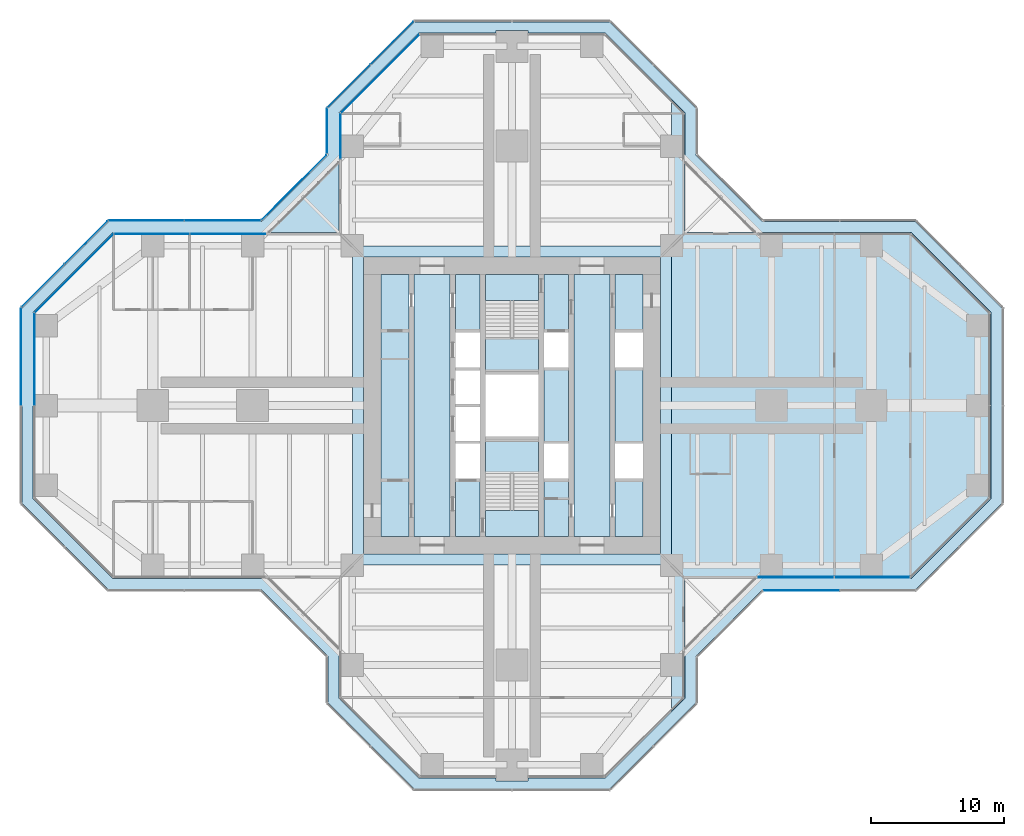
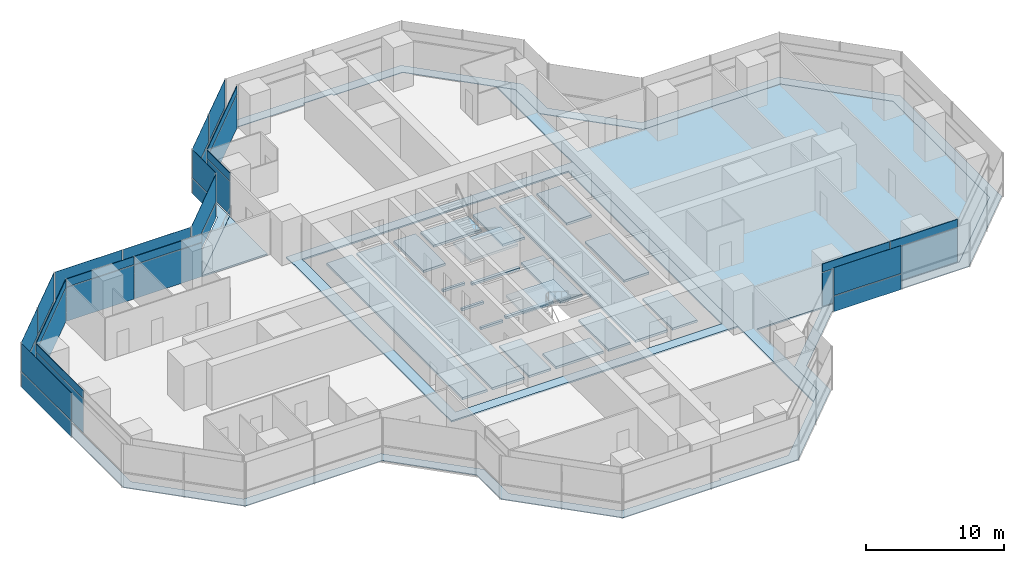
# One storey, part 13 of 20: 37 plates, 8 slabs, 15 elements without a shape of their own.
"""IFC4 building model written with IfcOpenShell, lengths in metres."""

import ifcopenshell
import ifcopenshell.guid

model = None  # the IFC model being written
_history = None  # IfcOwnerHistory: only IFC2X3 demands one
_inside = {}  # id of a spatial element -> (the spatial element, [elements in it])
_under = {}  # id of a project, library or spatial element -> (it, [spatial elements below it])
_declared = {}  # id of a project -> (the project, [libraries it declares])
_typed = {}  # id of a type object -> (the type object, [elements of that type])
_made_of = {}  # id of a material, layer set ... -> (it, [elements and type objects made of it])


def new_model(schema):
    """Start an empty IFC model of exactly this schema.

    Asked for "IFC4X3", IfcOpenShell would pick the latest addendum, in which some entities
    have other attributes; the version numbers below select the first issue.
    IFC2X3 requires an IfcOwnerHistory on every rooted entity: one is made here for all.
    """
    global model, _history
    if schema == "IFC4X3":
        model = ifcopenshell.file(schema_version=(4, 3, 0, 0))
    else:
        model = ifcopenshell.file(schema=schema)
    _inside.clear()
    _under.clear()
    _declared.clear()
    _typed.clear()
    _made_of.clear()
    _history = None
    if model.schema == "IFC2X3":
        org = make("IfcOrganization", Name="unknown")
        user = make(
            "IfcPersonAndOrganization",
            ThePerson=make("IfcPerson", FamilyName="unknown"),
            TheOrganization=org,
        )
        app = make(
            "IfcApplication",
            ApplicationDeveloper=org,
            Version="unknown",
            ApplicationFullName="unknown",
            ApplicationIdentifier="unknown",
        )
        _history = make(
            "IfcOwnerHistory",
            OwningUser=user,
            OwningApplication=app,
            ChangeAction="ADDED",
            CreationDate=0,
        )
    return model


def make(cls, **values):
    """One entity of the class cls with the attributes given. An attribute that is None is left unset."""
    return model.create_entity(
        cls, **{name: value for name, value in values.items() if value is not None}
    )


def rooted(cls, **values):
    """An entity with a GlobalId (a new one), such as an element, a storey or a relation."""
    return make(cls, GlobalId=ifcopenshell.guid.new(), OwnerHistory=_history, **values)


def si_unit(unit_type, name, prefix=None):
    """IfcSIUnit, for example si_unit("LENGTHUNIT", "METRE", prefix="MILLI")."""
    return make("IfcSIUnit", UnitType=unit_type, Prefix=prefix, Name=name)


def assignment(units):
    """IfcUnitAssignment: the units of a project."""
    return None if units is None else make("IfcUnitAssignment", Units=units)


def point(xyz):
    """IfcCartesianPoint."""
    return None if xyz is None else make("IfcCartesianPoint", Coordinates=xyz)


def direction(xyz):
    """IfcDirection."""
    return None if xyz is None else make("IfcDirection", DirectionRatios=xyz)


def frame(location, z_axis=None, x_axis=None):
    """IfcAxis2Placement3D, a coordinate frame: its origin and axes. An axis left out is left unset."""
    return make(
        "IfcAxis2Placement3D",
        Location=point(location),
        Axis=direction(z_axis),
        RefDirection=direction(x_axis),
    )


def frame_2d(location, x_axis=None):
    """IfcAxis2Placement2D, a coordinate frame in the plane: its origin and x axis."""
    return make(
        "IfcAxis2Placement2D", Location=point(location), RefDirection=direction(x_axis)
    )


def origin():
    """The frame at (0, 0, 0) with its axes left unset."""
    return frame((0.0, 0.0, 0.0))


def origin_2d():
    """The frame at (0, 0) in the plane with its x axis left unset."""
    return frame_2d((0.0, 0.0))


def place(relative_to, where):
    """IfcLocalPlacement: puts the frame where relative to a parent placement (None: the world)."""
    return make(
        "IfcLocalPlacement", PlacementRelTo=relative_to, RelativePlacement=where
    )


def context(
    kind, dimensions, precision=None, world=None, true_north=None, identifier=None
):
    """IfcGeometricRepresentationContext, for example the 3D "Model" context."""
    return make(
        "IfcGeometricRepresentationContext",
        ContextIdentifier=identifier,
        ContextType=kind,
        CoordinateSpaceDimension=dimensions,
        Precision=precision,
        WorldCoordinateSystem=world,
        TrueNorth=true_north,
    )


def subcontext(parent, identifier, kind, view, scale=None):
    """IfcGeometricRepresentationSubContext, for example "Body" below "Model"."""
    return make(
        "IfcGeometricRepresentationSubContext",
        ContextIdentifier=identifier,
        ContextType=kind,
        ParentContext=parent,
        TargetScale=scale,
        TargetView=view,
    )


def project(units=None, contexts=None):
    """IfcProject with its units and contexts."""
    return rooted(
        "IfcProject",
        Name="project",
        RepresentationContexts=contexts,
        UnitsInContext=assignment(units),
    )


def spatial(cls, under=None, at=None, **own):
    """A site, building, storey or space (cls), placed at a placement, below another one or the project."""
    s = rooted(cls, ObjectPlacement=at, **own)
    if under is not None:
        _under.setdefault(under.id(), (under, []))[1].append(s)
    return s


def polyline(points):
    """IfcPolyline through the points."""
    return make("IfcPolyline", Points=[point(p) for p in points])


def profile(cls, at=None, kind="AREA", **sizes):
    """A parametric profile (cls). Its sizes go by their IFC names, for example OverallWidth=200.0."""
    return make(cls, ProfileType=kind, Position=at, **sizes)


def rectangle(**sizes):
    """IfcRectangleProfileDef."""
    return profile("IfcRectangleProfileDef", **sizes)


def outline(outer, holes=None, kind="AREA"):
    """IfcArbitraryClosedProfileDef: a profile drawn as a closed curve; with holes, ...WithVoids."""
    if holes is None:
        return make("IfcArbitraryClosedProfileDef", ProfileType=kind, OuterCurve=outer)
    return make(
        "IfcArbitraryProfileDefWithVoids",
        ProfileType=kind,
        OuterCurve=outer,
        InnerCurves=holes,
    )


def extrude(swept, where, along, depth):
    """IfcExtrudedAreaSolid: the profile swept, set in the frame where, extruded along a direction by depth."""
    return make(
        "IfcExtrudedAreaSolid",
        SweptArea=swept,
        Position=where,
        ExtrudedDirection=direction(along),
        Depth=depth,
    )


def shape(context_of_items, identifier, shape_type, items):
    """IfcShapeRepresentation: the items that make up one representation, for example the "Body"."""
    return make(
        "IfcShapeRepresentation",
        ContextOfItems=context_of_items,
        RepresentationIdentifier=identifier,
        RepresentationType=shape_type,
        Items=items,
    )


def material(Name=None, Category=None):
    """IfcMaterial."""
    return make("IfcMaterial", Name=Name, Category=Category)


def layer(
    of_material, thickness, ventilated=None, Name=None, Category=None, Priority=None
):
    """IfcMaterialLayer: one layer of a wall or slab, of a material (None: an air gap)."""
    return make(
        "IfcMaterialLayer",
        Material=of_material,
        LayerThickness=thickness,
        IsVentilated=ventilated,
        Name=Name,
        Category=Category,
        Priority=Priority,
    )


def layer_set(layers, Name=None):
    """IfcMaterialLayerSet."""
    return make("IfcMaterialLayerSet", MaterialLayers=layers, LayerSetName=Name)


def made_of(thing, what):
    """Note that an element or type object is made of a material, layer set ...; save() writes the relation."""
    if what is not None:
        _made_of.setdefault(what.id(), (what, []))[1].append(thing)
    return thing


def type_object(cls, material=None, **own):
    """A type object (cls), such as IfcWallType, which elements share."""
    return made_of(rooted(cls, **own), material)


def element(
    cls,
    number,
    at=None,
    inside=None,
    cuts=None,
    type_object=None,
    material=None,
    context=None,
    identifier="Body",
    shape_type=None,
    held_by="IfcProductDefinitionShape",
    body=None,
    shapes=None,
    **own,
):
    """One element of the class cls, such as IfcWall. Its Tag is "e" and its number.

    at: its placement. inside: the storey or other place that contains it. cuts: it is an
    opening in that element (IfcRelVoidsElement). A single representation is given by context,
    identifier, shape_type and body (its items); several are given by shapes. held_by: the class
    of the entity that holds the representations. save() writes the other relations.
    """
    e = rooted(cls, Tag="e%d" % number, ObjectPlacement=at, **own)
    if body is not None:
        shapes = [shape(context, identifier, shape_type, body)]
    if shapes is not None:
        e.Representation = make(held_by, Representations=shapes)
    if inside is not None:
        _inside.setdefault(inside.id(), (inside, []))[1].append(e)
    if cuts is not None:
        rooted(
            "IfcRelVoidsElement", RelatingBuildingElement=cuts, RelatedOpeningElement=e
        )
    if type_object is not None:
        _typed.setdefault(type_object.id(), (type_object, []))[1].append(e)
    return made_of(e, material)


def aggregate(whole, parts):
    """IfcRelAggregates: a whole, such as a stair, and the parts it consists of."""
    return rooted("IfcRelAggregates", RelatingObject=whole, RelatedObjects=parts)


def save(model, path):
    """Write the relations noted so far, then the file.

    IfcRelAggregates (storeys below a building ...), IfcRelContainedInSpatialStructure (elements
    in a storey), IfcRelDefinesByType, IfcRelAssociatesMaterial and IfcRelDeclares: one each for
    every whole, place, type object, material and project.
    """
    for whole, parts in _under.values():
        aggregate(whole, parts)
    for where, things in _inside.values():
        rooted(
            "IfcRelContainedInSpatialStructure",
            RelatedElements=things,
            RelatingStructure=where,
        )
    for kind, things in _typed.values():
        rooted("IfcRelDefinesByType", RelatedObjects=things, RelatingType=kind)
    for what, things in _made_of.values():
        rooted("IfcRelAssociatesMaterial", RelatedObjects=things, RelatingMaterial=what)
    for by, libraries in _declared.values():
        rooted("IfcRelDeclares", RelatingContext=by, RelatedDefinitions=libraries)
    model.write(path)


model = new_model("IFC4")

# Units and contexts
model_context = context("Model", 3, precision=1e-05, world=origin(), true_north=direction((0.0, 1.0)))
body_context = subcontext(model_context, "Body", "Model", "MODEL_VIEW")
ifc_project = project(units=[si_unit("LENGTHUNIT", "METRE"), si_unit("AREAUNIT", "SQUARE_METRE"), si_unit("VOLUMEUNIT", "CUBIC_METRE"), si_unit("PLANEANGLEUNIT", "RADIAN"), si_unit("MASSUNIT", "GRAM", prefix="KILO")], contexts=[model_context])

# Site, building, storey
site_placement = place(None, origin())
site = spatial("IfcSite", under=ifc_project, at=site_placement, CompositionType="ELEMENT")
building_placement = place(site_placement, origin())
building = spatial("IfcBuilding", under=site, at=building_placement, Name="Mizan Broadcast Tower", CompositionType="ELEMENT")
storey_placement = place(building_placement, frame((0.0, 0.0, 178.800048828125)))
storey = spatial("IfcBuildingStorey", under=building, at=storey_placement, Name="L41", CompositionType="ELEMENT", Elevation=178.800048828125)

# Plate
ifc_material_1 = material(Name="Aluminium grating", Category="aluminium")
ifc_layer_1 = layer(ifc_material_1, 0.050048828125)
ifc_layer_set_1 = layer_set([ifc_layer_1], Name="Aluminium grating")
plate_type_1 = type_object("IfcPlateType", Name="CAVITY GRATING", PredefinedType="USERDEFINED", material=ifc_layer_set_1)
plate_1_placement = place(storey_placement, frame((0.0, 0.0, -0.050048828125)))
element("IfcPlate", 1, at=plate_1_placement, inside=storey, type_object=plate_type_1, Name="Cavity grating L41", ObjectType="GRATING", PredefinedType="USERDEFINED", context=body_context, shape_type="SweptSolid", body=[
    extrude(outline(polyline([(13.820068359375, -18.839599609375), (18.839599609375, -13.820068359375), (30.339599609375, -13.820068359375), (36.820068359375, -7.339599609375), (36.820068359375, 7.339599609375), (30.339599609375, 13.820068359375), (18.839599609375, 13.820068359375), (13.820068359375, 18.839599609375), (13.820068359375, 22.339599609375), (7.339599609375, 28.820068359375), (-7.339599609375, 28.820068359375), (-13.820068359375, 22.339599609375), (-13.820068359375, 18.839599609375), (-18.839599609375, 13.820068359375), (-30.339599609375, 13.820068359375), (-36.820068359375, 7.339599609375), (-36.820068359375, -7.339599609375), (-30.339599609375, -13.820068359375), (-18.839599609375, -13.820068359375), (-13.820068359375, -18.839599609375), (-13.820068359375, -22.339599609375), (-7.339599609375, -28.820068359375), (7.339599609375, -28.820068359375), (13.820068359375, -22.339599609375), (13.820068359375, -18.839599609375)]), holes=[polyline([(36.0, 7.0), (36.0, -7.0), (30.0, -13.0), (18.5, -13.0), (13.0, -18.5), (13.0, -22.0), (7.0, -28.0), (1.199951171875, -28.0), (1.199951171875, -28.199951171875), (-1.199951171875, -28.199951171875), (-1.199951171875, -28.0), (-7.0, -28.0), (-13.0, -22.0), (-13.0, -18.5), (-18.5, -13.0), (-30.0, -13.0), (-36.0, -7.0), (-36.0, 7.0), (-30.0, 13.0), (-18.5, 13.0), (-13.0, 18.5), (-13.0, 22.0), (-7.0, 28.0), (-1.199951171875, 28.0), (-1.199951171875, 28.199951171875), (1.199951171875, 28.199951171875), (1.199951171875, 28.0), (7.0, 28.0), (13.0, 22.0), (13.0, 18.5), (18.5, 13.0), (30.0, 13.0), (36.0, 7.0)])]), origin(), (0.0, 0.0, 1.0), 0.050048828125),
])

# Slabs
ifc_material_2 = material(Name="Concrete C32/40", Category="concrete")
ifc_layer_2 = layer(ifc_material_2, 0.1298828125)
ifc_layer_set_2 = layer_set([ifc_layer_2], Name="Concrete C32/40")
slab_type_1 = type_object("IfcSlabType", Name="COMPOSITE DECK SLAB 130", PredefinedType="FLOOR", material=ifc_layer_set_2)
slab_1_placement = place(storey_placement, frame((0.0, 0.0, -0.130126953125)))
element("IfcSlab", 2, at=slab_1_placement, inside=storey, type_object=slab_type_1, Name="Floor slab L41 centre", PredefinedType="FLOOR", context=body_context, shape_type="SweptSolid", body=[
    extrude(outline(polyline([(-12.0, -12.0), (12.0, -12.0), (12.0, 12.0), (-12.0, 12.0), (-12.0, -12.0)]), holes=[polyline([(-11.14990234375, 11.14990234375), (11.14990234375, 11.14990234375), (11.14990234375, -11.14990234375), (-11.14990234375, -11.14990234375), (-11.14990234375, 11.14990234375)])]), origin(), (0.0, 0.0, 1.0), 0.130126953125),
])
slab_2_placement = place(storey_placement, frame((0.0, 0.0, -0.130126953125)))
element("IfcSlab", 3, at=slab_2_placement, inside=storey, type_object=slab_type_1, Name="Floor slab L41 east arm", PredefinedType="FLOOR", context=body_context, shape_type="SweptSolid", body=[
    extrude(outline(polyline([(12.0, -23.0), (13.0, -22.0), (13.0, -13.0), (30.0, -13.0), (36.0, -7.0), (36.0, 7.0), (30.0, 13.0), (13.0, 13.0), (13.0, 22.0), (12.0, 23.0), (12.0, -23.0)])), origin(), (0.0, 0.0, 1.0), 0.130126953125),
])
ifc_material_3 = material(Name="Concrete C40/50", Category="concrete")
ifc_layer_3 = layer(ifc_material_3, 0.199951171875)
ifc_layer_set_3 = layer_set([ifc_layer_3], Name="Concrete C40/50")
slab_type_2 = type_object("IfcSlabType", Name="CORE FLOOR 200", PredefinedType="FLOOR", material=ifc_layer_set_3)
slab_3_placement = place(storey_placement, frame((0.0, 0.0, -0.199951171875)))
element("IfcSlab", 4, at=slab_3_placement, inside=storey, type_object=slab_type_2, Name="Core floor L41", PredefinedType="FLOOR", context=body_context, shape_type="SweptSolid", body=[
    extrude(outline(polyline([(-9.85009765625, -9.85009765625), (-7.75, -9.85009765625), (-7.75, 9.85009765625), (-9.85009765625, 9.85009765625), (-9.85009765625, -9.85009765625)])), origin(), (0.0, 0.0, 1.0), 0.199951171875),
    extrude(outline(polyline([(-4.64990234375, 9.85009765625), (-7.35009765625, 9.85009765625), (-7.35009765625, -9.85009765625), (-4.64990234375, -9.85009765625), (-4.64990234375, 9.85009765625)])), origin(), (0.0, 0.0, 1.0), 0.199951171875),
    extrude(outline(polyline([(-4.25, -5.5), (-4.25, -9.85009765625), (-2.39990234375, -9.85009765625), (-2.39990234375, -5.5), (-4.25, -5.5)])), origin(), (0.0, 0.0, 1.0), 0.199951171875),
    extrude(outline(polyline([(-4.25, -2.85009765625), (-2.39990234375, -2.85009765625), (-2.39990234375, -2.64990234375), (-4.25, -2.64990234375), (-4.25, -2.85009765625)])), origin(), (0.0, 0.0, 1.0), 0.199951171875),
    extrude(outline(polyline([(-4.25, -0.10009765625), (-2.39990234375, -0.10009765625), (-2.39990234375, 0.10009765625), (-4.25, 0.10009765625), (-4.25, -0.10009765625)])), origin(), (0.0, 0.0, 1.0), 0.199951171875),
    extrude(outline(polyline([(-4.25, 2.64990234375), (-2.39990234375, 2.64990234375), (-2.39990234375, 2.85009765625), (-4.25, 2.85009765625), (-4.25, 2.64990234375)])), origin(), (0.0, 0.0, 1.0), 0.199951171875),
    extrude(outline(polyline([(-4.25, 5.5), (-2.39990234375, 5.5), (-2.39990234375, 9.85009765625), (-4.25, 9.85009765625), (-4.25, 5.5)])), origin(), (0.0, 0.0, 1.0), 0.199951171875),
    extrude(outline(polyline([(2.0, -2.324951171875), (-2.0, -2.324951171875), (-2.0, -2.574951171875), (2.0, -2.574951171875), (2.0, -2.324951171875)])), origin(), (0.0, 0.0, 1.0), 0.199951171875),
    extrude(outline(polyline([(2.0, 2.574951171875), (-2.0, 2.574951171875), (-2.0, 2.324951171875), (2.0, 2.324951171875), (2.0, 2.574951171875)])), origin(), (0.0, 0.0, 1.0), 0.199951171875),
    extrude(outline(polyline([(4.25, -9.85009765625), (4.25, -5.5), (2.39990234375, -5.5), (2.39990234375, -9.85009765625), (4.25, -9.85009765625)])), origin(), (0.0, 0.0, 1.0), 0.199951171875),
    extrude(outline(polyline([(4.25, -2.85009765625), (4.25, 2.85009765625), (2.39990234375, 2.85009765625), (2.39990234375, -2.85009765625), (4.25, -2.85009765625)])), origin(), (0.0, 0.0, 1.0), 0.199951171875),
    extrude(outline(polyline([(4.25, 5.5), (4.25, 9.85009765625), (2.39990234375, 9.85009765625), (2.39990234375, 5.5), (4.25, 5.5)])), origin(), (0.0, 0.0, 1.0), 0.199951171875),
    extrude(outline(polyline([(4.64990234375, 9.85009765625), (4.64990234375, -9.85009765625), (7.35009765625, -9.85009765625), (7.35009765625, 9.85009765625), (4.64990234375, 9.85009765625)])), origin(), (0.0, 0.0, 1.0), 0.199951171875),
    extrude(outline(polyline([(9.85009765625, -9.85009765625), (9.85009765625, -5.5), (7.75, -5.5), (7.75, -9.85009765625), (9.85009765625, -9.85009765625)])), origin(), (0.0, 0.0, 1.0), 0.199951171875),
    extrude(outline(polyline([(7.75, -2.85009765625), (9.85009765625, -2.85009765625), (9.85009765625, 2.85009765625), (7.75, 2.85009765625), (7.75, -2.85009765625)])), origin(), (0.0, 0.0, 1.0), 0.199951171875),
    extrude(outline(polyline([(9.85009765625, 5.5), (9.85009765625, 9.85009765625), (7.75, 9.85009765625), (7.75, 5.5), (9.85009765625, 5.5)])), origin(), (0.0, 0.0, 1.0), 0.199951171875),
])

# Curtain wall, plates
ifc_material_4 = material(Name="Aluminium framed glazing", Category="aluminium")
curtain_wall_type_1 = type_object("IfcCurtainWallType", Name="INNER SKIN MID ZONE", PredefinedType="USERDEFINED", material=ifc_material_4)
curtain_wall_1_placement = place(storey_placement, origin())
curtain_wall_1 = element("IfcCurtainWall", 5, at=curtain_wall_1_placement, inside=storey, type_object=curtain_wall_type_1, Name="Inner skin mid zone L41 E side", ObjectType="INNER SKIN MID ZONE", PredefinedType="USERDEFINED")
ifc_material_5 = material(Name="Double glazing, clear low-e", Category="glass")
ifc_layer_4 = layer(ifc_material_5, 0.028076171875)
ifc_layer_set_4 = layer_set([ifc_layer_4], Name="Double glazing, clear low-e")
plate_type_2 = type_object("IfcPlateType", Name="INNER SKIN GLAZING UNIT", PredefinedType="CURTAIN_PANEL", material=ifc_layer_set_4)
plate_2_placement = place(storey_placement, frame((21.379638671875, -12.89990234375, 0.0), z_axis=(0.0, 0.0, 1.0), x_axis=(1.0, 0.0, 0.0)))
plate_2 = element("IfcPlate", 6, at=plate_2_placement, type_object=plate_type_2, Name="Inner skin mid zone L41 E side panel 1.1", PredefinedType="CURTAIN_PANEL", context=body_context, shape_type="SweptSolid", body=[
    extrude(rectangle(XDim=5.639404296875, YDim=0.028076171875, at=origin_2d()), origin(), (0.0, 0.0, 1.0), 3.0),
])
plate_3_placement = place(storey_placement, frame((27.078857421875, -12.89990234375, 0.0), z_axis=(0.0, 0.0, 1.0), x_axis=(1.0, 0.0, 0.0)))
plate_3 = element("IfcPlate", 7, at=plate_3_placement, type_object=plate_type_2, Name="Inner skin mid zone L41 E side panel 2.1", PredefinedType="CURTAIN_PANEL", context=body_context, shape_type="SweptSolid", body=[
    extrude(rectangle(XDim=5.639404296875, YDim=0.028076171875, at=origin_2d()), origin(), (0.0, 0.0, 1.0), 3.0),
])

# Curtain wall, plate
curtain_wall_2_placement = place(storey_placement, origin())
curtain_wall_2 = element("IfcCurtainWall", 8, at=curtain_wall_2_placement, inside=storey, type_object=curtain_wall_type_1, Name="Inner skin mid zone L41 N chamfer", ObjectType="INNER SKIN MID ZONE", PredefinedType="USERDEFINED")
plate_4_placement = place(storey_placement, frame((-9.92919921875, 24.92919921875, 0.0), z_axis=(0.0, 0.0, 1.0), x_axis=(-0.707106781187, -0.707106781187, 0.0)))
plate_4 = element("IfcPlate", 9, at=plate_4_placement, type_object=plate_type_2, Name="Inner skin mid zone L41 N chamfer panel 1.1", PredefinedType="CURTAIN_PANEL", context=body_context, shape_type="SweptSolid", body=[
    extrude(rectangle(XDim=8.282470703125, YDim=0.028076171875, at=origin_2d()), origin(), (0.0, 0.0, 1.0), 3.0),
])

curtain_wall_3_placement = place(storey_placement, origin())
curtain_wall_3 = element("IfcCurtainWall", 10, at=curtain_wall_3_placement, inside=storey, type_object=curtain_wall_type_1, Name="Inner skin mid zone L41 N side", ObjectType="INNER SKIN MID ZONE", PredefinedType="USERDEFINED")
plate_5_placement = place(storey_placement, frame((-12.89990234375, 20.229248046875, 0.0), z_axis=(0.0, 0.0, 1.0), x_axis=(0.0, -1.0, 0.0)))
plate_5 = element("IfcPlate", 11, at=plate_5_placement, type_object=plate_type_2, Name="Inner skin mid zone L41 N side panel 1.1", PredefinedType="CURTAIN_PANEL", context=body_context, shape_type="SweptSolid", body=[
    extrude(rectangle(XDim=3.338623046875, YDim=0.028076171875, at=origin_2d()), origin(), (0.0, 0.0, 1.0), 3.0),
])

# Curtain wall, plates
curtain_wall_4_placement = place(storey_placement, origin())
curtain_wall_4 = element("IfcCurtainWall", 12, at=curtain_wall_4_placement, inside=storey, type_object=curtain_wall_type_1, Name="Inner skin mid zone L41 W side", ObjectType="INNER SKIN MID ZONE", PredefinedType="USERDEFINED")
plate_6_placement = place(storey_placement, frame((-21.379638671875, 12.89990234375, 0.0), z_axis=(0.0, 0.0, 1.0), x_axis=(-1.0, 0.0, 0.0)))
plate_6 = element("IfcPlate", 13, at=plate_6_placement, type_object=plate_type_2, Name="Inner skin mid zone L41 W side panel 1.1", PredefinedType="CURTAIN_PANEL", context=body_context, shape_type="SweptSolid", body=[
    extrude(rectangle(XDim=5.639404296875, YDim=0.028076171875, at=origin_2d()), origin(), (0.0, 0.0, 1.0), 3.0),
])
plate_7_placement = place(storey_placement, frame((-27.078857421875, 12.89990234375, 0.0), z_axis=(0.0, 0.0, 1.0), x_axis=(-1.0, 0.0, 0.0)))
plate_7 = element("IfcPlate", 14, at=plate_7_placement, type_object=plate_type_2, Name="Inner skin mid zone L41 W side panel 2.1", PredefinedType="CURTAIN_PANEL", context=body_context, shape_type="SweptSolid", body=[
    extrude(rectangle(XDim=5.639404296875, YDim=0.028076171875, at=origin_2d()), origin(), (0.0, 0.0, 1.0), 3.0),
])

# Curtain wall, plate
curtain_wall_5_placement = place(storey_placement, origin())
curtain_wall_5 = element("IfcCurtainWall", 15, at=curtain_wall_5_placement, inside=storey, type_object=curtain_wall_type_1, Name="Inner skin mid zone L41 W chamfer", ObjectType="INNER SKIN MID ZONE", PredefinedType="USERDEFINED")
plate_8_placement = place(storey_placement, frame((-32.92919921875, 9.92919921875, 0.0), z_axis=(0.0, 0.0, 1.0), x_axis=(-0.707106781187, -0.707106781187, 0.0)))
plate_8 = element("IfcPlate", 16, at=plate_8_placement, type_object=plate_type_2, Name="Inner skin mid zone L41 W chamfer panel 1.1", PredefinedType="CURTAIN_PANEL", context=body_context, shape_type="SweptSolid", body=[
    extrude(rectangle(XDim=8.282470703125, YDim=0.028076171875, at=origin_2d()), origin(), (0.0, 0.0, 1.0), 3.0),
])

curtain_wall_6_placement = place(storey_placement, origin())
curtain_wall_6 = element("IfcCurtainWall", 17, at=curtain_wall_6_placement, inside=storey, type_object=curtain_wall_type_1, Name="Inner skin mid zone L41 W end", ObjectType="INNER SKIN MID ZONE", PredefinedType="USERDEFINED")
plate_9_placement = place(storey_placement, frame((-35.89990234375, 3.46435546875, 0.0), z_axis=(0.0, 0.0, 1.0), x_axis=(0.0, -1.0, 0.0)))
plate_9 = element("IfcPlate", 18, at=plate_9_placement, type_object=plate_type_2, Name="Inner skin mid zone L41 W end panel 1.1", PredefinedType="CURTAIN_PANEL", context=body_context, shape_type="SweptSolid", body=[
    extrude(rectangle(XDim=6.86865234375, YDim=0.028076171875, at=origin_2d()), origin(), (0.0, 0.0, 1.0), 3.0),
])

# Plate
ifc_material_6 = material(Name="Insulated aluminium spandrel panel, pale anodised", Category="aluminium")
ifc_layer_5 = layer(ifc_material_6, 0.050048828125)
ifc_layer_set_5 = layer_set([ifc_layer_5], Name="Insulated aluminium spandrel panel, pale anodised")
plate_type_3 = type_object("IfcPlateType", Name="INNER SKIN SPANDREL PANEL", PredefinedType="CURTAIN_PANEL", material=ifc_layer_set_5)
plate_10_placement = place(storey_placement, frame((21.379638671875, -12.89990234375, 3.06005859375), z_axis=(0.0, 0.0, 1.0), x_axis=(1.0, 0.0, 0.0)))
plate_10 = element("IfcPlate", 19, at=plate_10_placement, type_object=plate_type_3, Name="Inner skin mid zone L41 E side panel 1.2", PredefinedType="CURTAIN_PANEL", context=body_context, shape_type="SweptSolid", body=[
    extrude(rectangle(XDim=5.639404296875, YDim=0.050048828125, at=origin_2d()), origin(), (0.0, 0.0, 1.0), 0.7099609375),
])

plate_11_placement = place(storey_placement, frame((27.078857421875, -12.89990234375, 3.06005859375), z_axis=(0.0, 0.0, 1.0), x_axis=(1.0, 0.0, 0.0)))
plate_11 = element("IfcPlate", 20, at=plate_11_placement, type_object=plate_type_3, Name="Inner skin mid zone L41 E side panel 2.2", PredefinedType="CURTAIN_PANEL", context=body_context, shape_type="SweptSolid", body=[
    extrude(rectangle(XDim=5.639404296875, YDim=0.050048828125, at=origin_2d()), origin(), (0.0, 0.0, 1.0), 0.7099609375),
])

aggregate(curtain_wall_1, [plate_2, plate_10, plate_3, plate_11])

plate_12_placement = place(storey_placement, frame((-9.92919921875, 24.92919921875, 3.06005859375), z_axis=(0.0, 0.0, 1.0), x_axis=(-0.707106781187, -0.707106781187, 0.0)))
plate_12 = element("IfcPlate", 21, at=plate_12_placement, type_object=plate_type_3, Name="Inner skin mid zone L41 N chamfer panel 1.2", PredefinedType="CURTAIN_PANEL", context=body_context, shape_type="SweptSolid", body=[
    extrude(rectangle(XDim=8.282470703125, YDim=0.050048828125, at=origin_2d()), origin(), (0.0, 0.0, 1.0), 0.7099609375),
])

aggregate(curtain_wall_2, [plate_4, plate_12])

plate_13_placement = place(storey_placement, frame((-12.89990234375, 20.229248046875, 3.06005859375), z_axis=(0.0, 0.0, 1.0), x_axis=(0.0, -1.0, 0.0)))
plate_13 = element("IfcPlate", 22, at=plate_13_placement, type_object=plate_type_3, Name="Inner skin mid zone L41 N side panel 1.2", PredefinedType="CURTAIN_PANEL", context=body_context, shape_type="SweptSolid", body=[
    extrude(rectangle(XDim=3.338623046875, YDim=0.050048828125, at=origin_2d()), origin(), (0.0, 0.0, 1.0), 0.7099609375),
])

aggregate(curtain_wall_3, [plate_5, plate_13])

plate_14_placement = place(storey_placement, frame((-21.379638671875, 12.89990234375, 3.06005859375), z_axis=(0.0, 0.0, 1.0), x_axis=(-1.0, 0.0, 0.0)))
plate_14 = element("IfcPlate", 23, at=plate_14_placement, type_object=plate_type_3, Name="Inner skin mid zone L41 W side panel 1.2", PredefinedType="CURTAIN_PANEL", context=body_context, shape_type="SweptSolid", body=[
    extrude(rectangle(XDim=5.639404296875, YDim=0.050048828125, at=origin_2d()), origin(), (0.0, 0.0, 1.0), 0.7099609375),
])

plate_15_placement = place(storey_placement, frame((-27.078857421875, 12.89990234375, 3.06005859375), z_axis=(0.0, 0.0, 1.0), x_axis=(-1.0, 0.0, 0.0)))
plate_15 = element("IfcPlate", 24, at=plate_15_placement, type_object=plate_type_3, Name="Inner skin mid zone L41 W side panel 2.2", PredefinedType="CURTAIN_PANEL", context=body_context, shape_type="SweptSolid", body=[
    extrude(rectangle(XDim=5.639404296875, YDim=0.050048828125, at=origin_2d()), origin(), (0.0, 0.0, 1.0), 0.7099609375),
])

aggregate(curtain_wall_4, [plate_6, plate_14, plate_7, plate_15])

plate_16_placement = place(storey_placement, frame((-32.92919921875, 9.92919921875, 3.06005859375), z_axis=(0.0, 0.0, 1.0), x_axis=(-0.707106781187, -0.707106781187, 0.0)))
plate_16 = element("IfcPlate", 25, at=plate_16_placement, type_object=plate_type_3, Name="Inner skin mid zone L41 W chamfer panel 1.2", PredefinedType="CURTAIN_PANEL", context=body_context, shape_type="SweptSolid", body=[
    extrude(rectangle(XDim=8.282470703125, YDim=0.050048828125, at=origin_2d()), origin(), (0.0, 0.0, 1.0), 0.7099609375),
])

aggregate(curtain_wall_5, [plate_8, plate_16])

plate_17_placement = place(storey_placement, frame((-35.89990234375, 3.46435546875, 3.06005859375), z_axis=(0.0, 0.0, 1.0), x_axis=(0.0, -1.0, 0.0)))
plate_17 = element("IfcPlate", 26, at=plate_17_placement, type_object=plate_type_3, Name="Inner skin mid zone L41 W end panel 1.2", PredefinedType="CURTAIN_PANEL", context=body_context, shape_type="SweptSolid", body=[
    extrude(rectangle(XDim=6.86865234375, YDim=0.050048828125, at=origin_2d()), origin(), (0.0, 0.0, 1.0), 0.7099609375),
])

aggregate(curtain_wall_6, [plate_9, plate_17])

# Curtain wall, plates
ifc_material_7 = material(Name="Aluminium framed glazing", Category="aluminium")
curtain_wall_type_2 = type_object("IfcCurtainWallType", Name="OUTER SKIN", PredefinedType="USERDEFINED", material=ifc_material_7)
curtain_wall_7_placement = place(storey_placement, origin())
curtain_wall_7 = element("IfcCurtainWall", 27, at=curtain_wall_7_placement, inside=storey, type_object=curtain_wall_type_2, Name="Outer skin L41 N chamfer", ObjectType="OUTER SKIN", PredefinedType="USERDEFINED")
ifc_material_8 = material(Name="Laminated clear glass", Category="glass")
ifc_layer_6 = layer(ifc_material_8, 0.02001953125)
ifc_layer_set_6 = layer_set([ifc_layer_6], Name="Laminated clear glass")
plate_type_4 = type_object("IfcPlateType", Name="OUTER SKIN CLEAR GLASS", PredefinedType="CURTAIN_PANEL", material=ifc_layer_set_6)
plate_18_placement = place(storey_placement, frame((-9.018798828125, 27.254150390625, 0.0), z_axis=(0.0, 0.0, 1.0), x_axis=(-0.707106781187, -0.707106781187, 0.0)))
plate_18 = element("IfcPlate", 28, at=plate_18_placement, type_object=plate_type_4, Name="Outer skin L41 N chamfer panel 1.1", PredefinedType="CURTAIN_PANEL", context=body_context, shape_type="SweptSolid", body=[
    extrude(rectangle(XDim=4.495361328125, YDim=0.02001953125, at=origin_2d()), origin(), (0.0, 0.0, 1.0), 1.3701171875),
])
plate_19_placement = place(storey_placement, frame((-9.018798828125, 27.254150390625, 1.43017578125), z_axis=(0.0, 0.0, 1.0), x_axis=(-0.707106781187, -0.707106781187, 0.0)))
plate_19 = element("IfcPlate", 29, at=plate_19_placement, type_object=plate_type_4, Name="Outer skin L41 N chamfer panel 1.2", PredefinedType="CURTAIN_PANEL", context=body_context, shape_type="SweptSolid", body=[
    extrude(rectangle(XDim=4.495361328125, YDim=0.02001953125, at=origin_2d()), origin(), (0.0, 0.0, 1.0), 2.469970703125),
])

curtain_wall_8_placement = place(storey_placement, origin())
curtain_wall_8 = element("IfcCurtainWall", 30, at=curtain_wall_8_placement, inside=storey, type_object=curtain_wall_type_2, Name="Outer skin L41 N side", ObjectType="OUTER SKIN", PredefinedType="USERDEFINED")
plate_20_placement = place(storey_placement, frame((-13.89990234375, 20.622802734375, 0.0), z_axis=(0.0, 0.0, 1.0), x_axis=(0.0, -1.0, 0.0)))
plate_20 = element("IfcPlate", 31, at=plate_20_placement, type_object=plate_type_4, Name="Outer skin L41 N side panel 1.1", PredefinedType="CURTAIN_PANEL", context=body_context, shape_type="SweptSolid", body=[
    extrude(rectangle(XDim=3.340087890625, YDim=0.02001953125, at=origin_2d()), origin(), (0.0, 0.0, 1.0), 1.3701171875),
])
plate_21_placement = place(storey_placement, frame((-13.89990234375, 20.622802734375, 1.43017578125), z_axis=(0.0, 0.0, 1.0), x_axis=(0.0, -1.0, 0.0)))
plate_21 = element("IfcPlate", 32, at=plate_21_placement, type_object=plate_type_4, Name="Outer skin L41 N side panel 1.2", PredefinedType="CURTAIN_PANEL", context=body_context, shape_type="SweptSolid", body=[
    extrude(rectangle(XDim=3.340087890625, YDim=0.02001953125, at=origin_2d()), origin(), (0.0, 0.0, 1.0), 2.469970703125),
])
aggregate(curtain_wall_8, [plate_20, plate_21])

curtain_wall_9_placement = place(storey_placement, origin())
curtain_wall_9 = element("IfcCurtainWall", 33, at=curtain_wall_9_placement, inside=storey, type_object=curtain_wall_type_2, Name="Outer skin L41 W chamfer", ObjectType="OUTER SKIN", PredefinedType="USERDEFINED")
plate_22_placement = place(storey_placement, frame((-16.386474609375, 16.386474609375, 0.0), z_axis=(0.0, 0.0, 1.0), x_axis=(-0.707106781187, -0.707106781187, 0.0)))
plate_22 = element("IfcPlate", 34, at=plate_22_placement, type_object=plate_type_4, Name="Outer skin L41 W chamfer panel 1.1", PredefinedType="CURTAIN_PANEL", context=body_context, shape_type="SweptSolid", body=[
    extrude(rectangle(XDim=6.87255859375, YDim=0.02001953125, at=origin_2d()), origin(), (0.0, 0.0, 1.0), 1.3701171875),
])
plate_23_placement = place(storey_placement, frame((-16.386474609375, 16.386474609375, 1.43017578125), z_axis=(0.0, 0.0, 1.0), x_axis=(-0.707106781187, -0.707106781187, 0.0)))
plate_23 = element("IfcPlate", 35, at=plate_23_placement, type_object=plate_type_4, Name="Outer skin L41 W chamfer panel 1.2", PredefinedType="CURTAIN_PANEL", context=body_context, shape_type="SweptSolid", body=[
    extrude(rectangle(XDim=6.87255859375, YDim=0.02001953125, at=origin_2d()), origin(), (0.0, 0.0, 1.0), 2.469970703125),
])
aggregate(curtain_wall_9, [plate_22, plate_23])

curtain_wall_10_placement = place(storey_placement, origin())
curtain_wall_10 = element("IfcCurtainWall", 36, at=curtain_wall_10_placement, inside=storey, type_object=curtain_wall_type_2, Name="Outer skin L41 W side", ObjectType="OUTER SKIN", PredefinedType="USERDEFINED")
plate_24_placement = place(storey_placement, frame((-21.767822265625, 13.89990234375, 0.0), z_axis=(0.0, 0.0, 1.0), x_axis=(-1.0, 0.0, 0.0)))
plate_24 = element("IfcPlate", 37, at=plate_24_placement, type_object=plate_type_4, Name="Outer skin L41 W side panel 1.1", PredefinedType="CURTAIN_PANEL", context=body_context, shape_type="SweptSolid", body=[
    extrude(rectangle(XDim=5.6298828125, YDim=0.02001953125, at=origin_2d()), origin(), (0.0, 0.0, 1.0), 1.3701171875),
])
plate_25_placement = place(storey_placement, frame((-21.767822265625, 13.89990234375, 1.43017578125), z_axis=(0.0, 0.0, 1.0), x_axis=(-1.0, 0.0, 0.0)))
plate_25 = element("IfcPlate", 38, at=plate_25_placement, type_object=plate_type_4, Name="Outer skin L41 W side panel 1.2", PredefinedType="CURTAIN_PANEL", context=body_context, shape_type="SweptSolid", body=[
    extrude(rectangle(XDim=5.6298828125, YDim=0.02001953125, at=origin_2d()), origin(), (0.0, 0.0, 1.0), 2.469970703125),
])
plate_26_placement = place(storey_placement, frame((-27.477783203125, 13.89990234375, 0.0), z_axis=(0.0, 0.0, 1.0), x_axis=(-1.0, 0.0, 0.0)))
plate_26 = element("IfcPlate", 39, at=plate_26_placement, type_object=plate_type_4, Name="Outer skin L41 W side panel 2.1", PredefinedType="CURTAIN_PANEL", context=body_context, shape_type="SweptSolid", body=[
    extrude(rectangle(XDim=5.6298828125, YDim=0.02001953125, at=origin_2d()), origin(), (0.0, 0.0, 1.0), 1.3701171875),
])
plate_27_placement = place(storey_placement, frame((-27.477783203125, 13.89990234375, 1.43017578125), z_axis=(0.0, 0.0, 1.0), x_axis=(-1.0, 0.0, 0.0)))
plate_27 = element("IfcPlate", 40, at=plate_27_placement, type_object=plate_type_4, Name="Outer skin L41 W side panel 2.2", PredefinedType="CURTAIN_PANEL", context=body_context, shape_type="SweptSolid", body=[
    extrude(rectangle(XDim=5.6298828125, YDim=0.02001953125, at=origin_2d()), origin(), (0.0, 0.0, 1.0), 2.469970703125),
])
aggregate(curtain_wall_10, [plate_24, plate_25, plate_26, plate_27])

curtain_wall_11_placement = place(storey_placement, origin())
curtain_wall_11 = element("IfcCurtainWall", 41, at=curtain_wall_11_placement, inside=storey, type_object=curtain_wall_type_2, Name="Outer skin L41 W chamfer", ObjectType="OUTER SKIN", PredefinedType="USERDEFINED")
plate_28_placement = place(storey_placement, frame((-32.018798828125, 12.254150390625, 0.0), z_axis=(0.0, 0.0, 1.0), x_axis=(-0.707106781187, -0.707106781187, 0.0)))
plate_28 = element("IfcPlate", 42, at=plate_28_placement, type_object=plate_type_4, Name="Outer skin L41 W chamfer panel 1.1", PredefinedType="CURTAIN_PANEL", context=body_context, shape_type="SweptSolid", body=[
    extrude(rectangle(XDim=4.495361328125, YDim=0.02001953125, at=origin_2d()), origin(), (0.0, 0.0, 1.0), 1.3701171875),
])
plate_29_placement = place(storey_placement, frame((-32.018798828125, 12.254150390625, 1.43017578125), z_axis=(0.0, 0.0, 1.0), x_axis=(-0.707106781187, -0.707106781187, 0.0)))
plate_29 = element("IfcPlate", 43, at=plate_29_placement, type_object=plate_type_4, Name="Outer skin L41 W chamfer panel 1.2", PredefinedType="CURTAIN_PANEL", context=body_context, shape_type="SweptSolid", body=[
    extrude(rectangle(XDim=4.495361328125, YDim=0.02001953125, at=origin_2d()), origin(), (0.0, 0.0, 1.0), 2.469970703125),
])

curtain_wall_12_placement = place(storey_placement, origin())
curtain_wall_12 = element("IfcCurtainWall", 44, at=curtain_wall_12_placement, inside=storey, type_object=curtain_wall_type_2, Name="Outer skin L41 W end", ObjectType="OUTER SKIN", PredefinedType="USERDEFINED")
plate_30_placement = place(storey_placement, frame((-36.89990234375, 3.66650390625, 0.0), z_axis=(0.0, 0.0, 1.0), x_axis=(0.0, -1.0, 0.0)))
plate_30 = element("IfcPlate", 45, at=plate_30_placement, type_object=plate_type_4, Name="Outer skin L41 W end panel 1.1", PredefinedType="CURTAIN_PANEL", context=body_context, shape_type="SweptSolid", body=[
    extrude(rectangle(XDim=7.252685546875, YDim=0.02001953125, at=origin_2d()), origin(), (0.0, 0.0, 1.0), 1.3701171875),
])
plate_31_placement = place(storey_placement, frame((-36.89990234375, 3.66650390625, 1.43017578125), z_axis=(0.0, 0.0, 1.0), x_axis=(0.0, -1.0, 0.0)))
plate_31 = element("IfcPlate", 46, at=plate_31_placement, type_object=plate_type_4, Name="Outer skin L41 W end panel 1.2", PredefinedType="CURTAIN_PANEL", context=body_context, shape_type="SweptSolid", body=[
    extrude(rectangle(XDim=7.252685546875, YDim=0.02001953125, at=origin_2d()), origin(), (0.0, 0.0, 1.0), 2.469970703125),
])
aggregate(curtain_wall_12, [plate_30, plate_31])

curtain_wall_13_placement = place(storey_placement, origin())
curtain_wall_13 = element("IfcCurtainWall", 47, at=curtain_wall_13_placement, inside=storey, type_object=curtain_wall_type_2, Name="Outer skin L41 E side", ObjectType="OUTER SKIN", PredefinedType="USERDEFINED")
plate_32_placement = place(storey_placement, frame((21.767822265625, -13.89990234375, 0.0), z_axis=(0.0, 0.0, 1.0), x_axis=(1.0, 0.0, 0.0)))
plate_32 = element("IfcPlate", 48, at=plate_32_placement, type_object=plate_type_4, Name="Outer skin L41 E side panel 1.1", PredefinedType="CURTAIN_PANEL", context=body_context, shape_type="SweptSolid", body=[
    extrude(rectangle(XDim=5.6298828125, YDim=0.02001953125, at=origin_2d()), origin(), (0.0, 0.0, 1.0), 1.3701171875),
])
plate_33_placement = place(storey_placement, frame((21.767822265625, -13.89990234375, 1.43017578125), z_axis=(0.0, 0.0, 1.0), x_axis=(1.0, 0.0, 0.0)))
plate_33 = element("IfcPlate", 49, at=plate_33_placement, type_object=plate_type_4, Name="Outer skin L41 E side panel 1.2", PredefinedType="CURTAIN_PANEL", context=body_context, shape_type="SweptSolid", body=[
    extrude(rectangle(XDim=5.6298828125, YDim=0.02001953125, at=origin_2d()), origin(), (0.0, 0.0, 1.0), 2.469970703125),
])
aggregate(curtain_wall_13, [plate_32, plate_33])

# Plate
ifc_material_9 = material(Name="Perforated aluminium, pale anodised", Category="aluminium")
ifc_layer_7 = layer(ifc_material_9, 0.011962890625)
ifc_layer_set_7 = layer_set([ifc_layer_7], Name="Perforated aluminium, pale anodised")
plate_type_5 = type_object("IfcPlateType", Name="OUTER SKIN PERFORATED SCREEN", PredefinedType="USERDEFINED", material=ifc_layer_set_7)
plate_34_placement = place(storey_placement, frame((-12.254150390625, 24.018798828125, 0.0), z_axis=(0.0, 0.0, 1.0), x_axis=(-0.707106781187, -0.707106781187, 0.0)))
plate_34 = element("IfcPlate", 50, at=plate_34_placement, type_object=plate_type_5, Name="Outer skin L41 N chamfer panel 2.1", ObjectType="SCREEN", PredefinedType="USERDEFINED", context=body_context, shape_type="SweptSolid", body=[
    extrude(rectangle(XDim=4.495361328125, YDim=0.011962890625, at=origin_2d()), origin(), (0.0, 0.0, 1.0), 1.3701171875),
])

plate_35_placement = place(storey_placement, frame((-12.254150390625, 24.018798828125, 1.43017578125), z_axis=(0.0, 0.0, 1.0), x_axis=(-0.707106781187, -0.707106781187, 0.0)))
plate_35 = element("IfcPlate", 51, at=plate_35_placement, type_object=plate_type_5, Name="Outer skin L41 N chamfer panel 2.2", ObjectType="SCREEN", PredefinedType="USERDEFINED", context=body_context, shape_type="SweptSolid", body=[
    extrude(rectangle(XDim=4.495361328125, YDim=0.011962890625, at=origin_2d()), origin(), (0.0, 0.0, 1.0), 2.469970703125),
])

aggregate(curtain_wall_7, [plate_18, plate_19, plate_34, plate_35])

plate_36_placement = place(storey_placement, frame((-35.254150390625, 9.018798828125, 0.0), z_axis=(0.0, 0.0, 1.0), x_axis=(-0.707106781187, -0.707106781187, 0.0)))
plate_36 = element("IfcPlate", 52, at=plate_36_placement, type_object=plate_type_5, Name="Outer skin L41 W chamfer panel 2.1", ObjectType="SCREEN", PredefinedType="USERDEFINED", context=body_context, shape_type="SweptSolid", body=[
    extrude(rectangle(XDim=4.495361328125, YDim=0.011962890625, at=origin_2d()), origin(), (0.0, 0.0, 1.0), 1.3701171875),
])

plate_37_placement = place(storey_placement, frame((-35.254150390625, 9.018798828125, 1.43017578125), z_axis=(0.0, 0.0, 1.0), x_axis=(-0.707106781187, -0.707106781187, 0.0)))
plate_37 = element("IfcPlate", 53, at=plate_37_placement, type_object=plate_type_5, Name="Outer skin L41 W chamfer panel 2.2", ObjectType="SCREEN", PredefinedType="USERDEFINED", context=body_context, shape_type="SweptSolid", body=[
    extrude(rectangle(XDim=4.495361328125, YDim=0.011962890625, at=origin_2d()), origin(), (0.0, 0.0, 1.0), 2.469970703125),
])

aggregate(curtain_wall_11, [plate_28, plate_29, plate_36, plate_37])

# Stair, slabs
ifc_material_10 = material(Name="Concrete C40/50", Category="concrete")
stair_type = type_object("IfcStairType", Name="EXIT STAIR", PredefinedType="HALF_TURN_STAIR", material=ifc_material_10)
stair_1_placement = place(storey_placement, origin())
stair_1 = element("IfcStair", 54, at=stair_1_placement, inside=storey, type_object=stair_type, Name="Stair A L41", PredefinedType="HALF_TURN_STAIR")
ifc_material_11 = material(Name="Concrete C40/50", Category="concrete")
ifc_layer_8 = layer(ifc_material_11, 0.199951171875)
ifc_layer_set_8 = layer_set([ifc_layer_8], Name="Concrete C40/50")
slab_type_3 = type_object("IfcSlabType", Name="STAIR LANDING 200", PredefinedType="LANDING", material=ifc_layer_set_8)
slab_4_placement = place(storey_placement, frame((0.0, 0.0, -0.199951171875)))
slab_4 = element("IfcSlab", 55, at=slab_4_placement, type_object=slab_type_3, Name="A landing 1", PredefinedType="LANDING", context=body_context, shape_type="SweptSolid", body=[
    extrude(outline(polyline([(-2.0, -9.85009765625), (-2.0, -7.89990234375), (2.0, -7.89990234375), (2.0, -9.85009765625), (-2.0, -9.85009765625)])), origin(), (0.0, 0.0, 1.0), 0.199951171875),
])
slab_5_placement = place(storey_placement, frame((0.0, 0.0, 1.75)))
slab_5 = element("IfcSlab", 56, at=slab_5_placement, type_object=slab_type_3, Name="A landing 2", PredefinedType="LANDING", context=body_context, shape_type="SweptSolid", body=[
    extrude(outline(polyline([(-2.0, -5.10009765625), (-2.0, -2.574951171875), (2.0, -2.574951171875), (2.0, -5.10009765625), (-2.0, -5.10009765625)])), origin(), (0.0, 0.0, 1.0), 0.199951171875),
])
aggregate(stair_1, [slab_4, slab_5])

stair_2_placement = place(storey_placement, origin())
stair_2 = element("IfcStair", 57, at=stair_2_placement, inside=storey, type_object=stair_type, Name="Stair B L41", PredefinedType="HALF_TURN_STAIR")
slab_6_placement = place(storey_placement, frame((0.0, 0.0, -0.199951171875)))
slab_6 = element("IfcSlab", 58, at=slab_6_placement, type_object=slab_type_3, Name="B landing 1", PredefinedType="LANDING", context=body_context, shape_type="SweptSolid", body=[
    extrude(outline(polyline([(2.0, 9.85009765625), (2.0, 7.89990234375), (-2.0, 7.89990234375), (-2.0, 9.85009765625), (2.0, 9.85009765625)])), origin(), (0.0, 0.0, 1.0), 0.199951171875),
])
slab_7_placement = place(storey_placement, frame((0.0, 0.0, 1.75)))
slab_7 = element("IfcSlab", 59, at=slab_7_placement, type_object=slab_type_3, Name="B landing 2", PredefinedType="LANDING", context=body_context, shape_type="SweptSolid", body=[
    extrude(outline(polyline([(2.0, 5.10009765625), (2.0, 2.574951171875), (-2.0, 2.574951171875), (-2.0, 5.10009765625), (2.0, 5.10009765625)])), origin(), (0.0, 0.0, 1.0), 0.199951171875),
])
aggregate(stair_2, [slab_6, slab_7])

# Slab
ifc_material_12 = material(Name="Concrete C32/40", Category="concrete")
ifc_layer_9 = layer(ifc_material_12, 0.1298828125)
ifc_layer_set_9 = layer_set([ifc_layer_9], Name="Concrete C32/40")
slab_type_4 = type_object("IfcSlabType", Name="WINTER GARDEN SLAB 130", PredefinedType="FLOOR", material=ifc_layer_set_9)
slab_8_placement = place(storey_placement, frame((0.0, 0.0, -0.130126953125)))
element("IfcSlab", 60, at=slab_8_placement, inside=storey, type_object=slab_type_4, Name="Winter garden slab L41 N", PredefinedType="FLOOR", context=body_context, shape_type="SweptSolid", body=[
    extrude(outline(polyline([(-13.0, 13.0), (-13.0, 18.5), (-18.5, 13.0), (-13.0, 13.0)])), origin(), (0.0, 0.0, 1.0), 0.130126953125),
])

save(model, "model.ifc")
